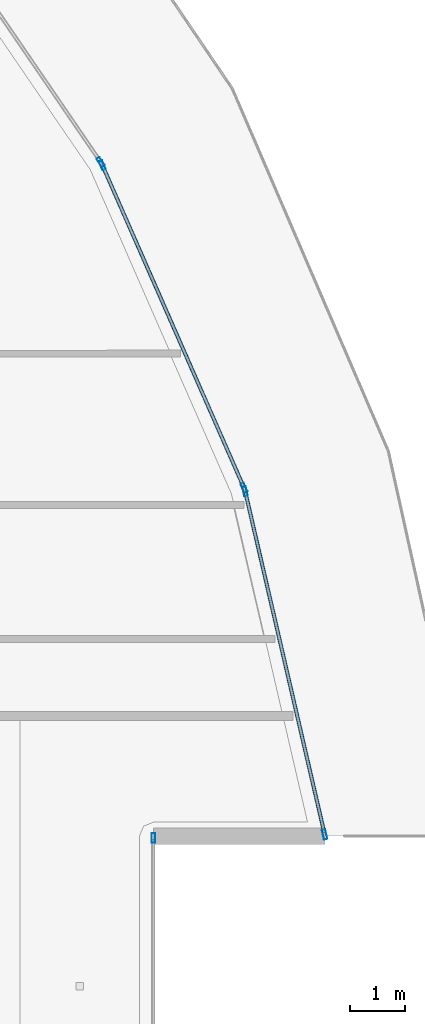
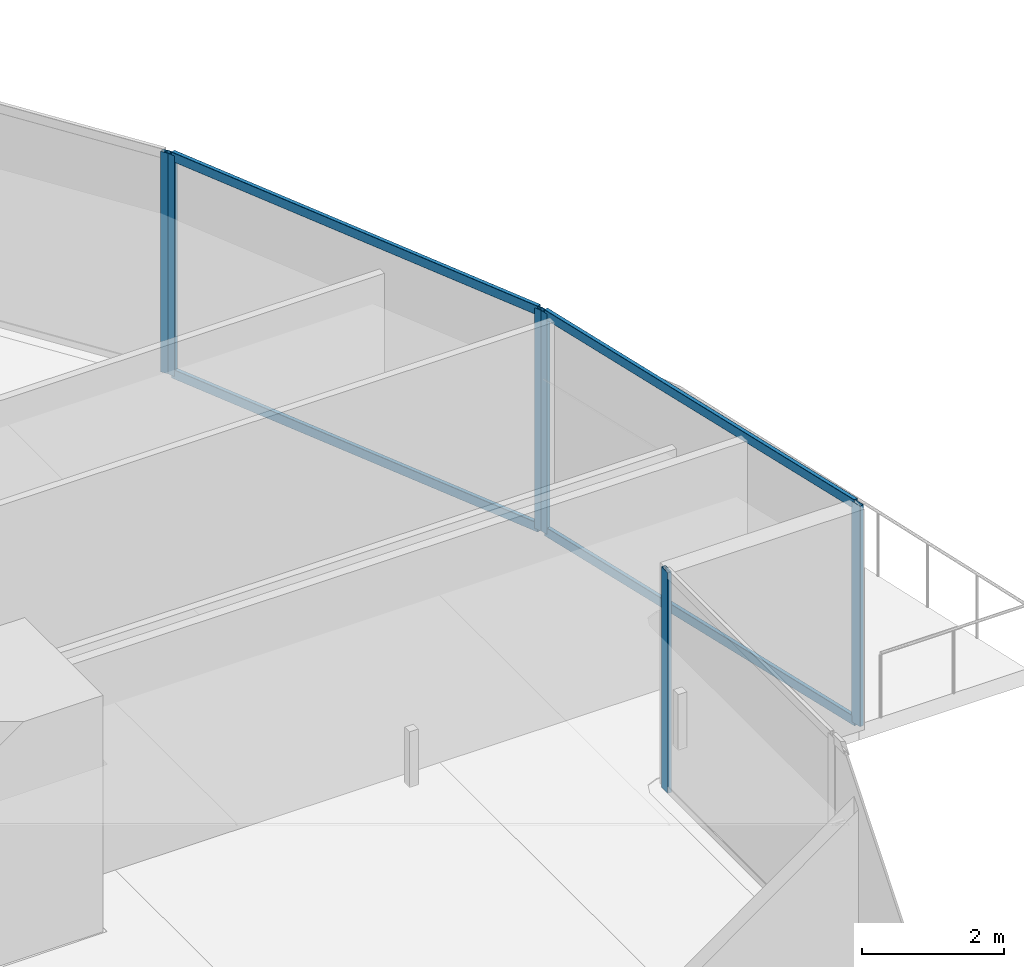
# One storey, part 19 of 35: 10 members, 4 elements without a shape of their own.
"""IFC4 building model written with IfcOpenShell, lengths in metres."""

from ifc_helpers import new_model, si_unit, direction, frame, origin, origin_2d, place, context, subcontext, project, spatial, hollow_rectangle, extrude, material, layer, layer_set, material_profile, profile_set, type_object, element, aggregate, save


model = new_model("IFC4")

# Units and contexts
model_context = context("Model", 3, precision=1e-05, world=origin(), true_north=direction((0.0, 1.0)))
body_context = subcontext(model_context, "Body", "Model", "MODEL_VIEW")
ifc_project = project(units=[si_unit("LENGTHUNIT", "METRE"), si_unit("AREAUNIT", "SQUARE_METRE"), si_unit("VOLUMEUNIT", "CUBIC_METRE"), si_unit("PLANEANGLEUNIT", "RADIAN"), si_unit("MASSUNIT", "GRAM", prefix="KILO")], contexts=[model_context])

# Site, building, storey
site_placement = place(None, origin())
site = spatial("IfcSite", under=ifc_project, at=site_placement, CompositionType="ELEMENT")
building_placement = place(site_placement, origin())
building = spatial("IfcBuilding", under=site, at=building_placement, Name="Qorvath Tower", CompositionType="ELEMENT")
storey_placement = place(building_placement, frame((0.0, 0.0, 166.5)))
storey = spatial("IfcBuildingStorey", under=building, at=storey_placement, Name="L38", CompositionType="ELEMENT", Elevation=166.5)

# Curtain wall, member
ifc_material_1 = material(Name="Anodised aluminium and triple low-E glass", Category="aluminium")
ifc_layer = layer(ifc_material_1, 0.179931640625)
ifc_layer_set = layer_set([ifc_layer], Name="CW-SYS-3")
curtain_wall_type = type_object("IfcCurtainWallType", Name="CW-SYS-3", PredefinedType="NOTDEFINED", material=ifc_layer_set)
curtain_wall_1_placement = place(storey_placement, origin())
curtain_wall_1 = element("IfcCurtainWall", 1, at=curtain_wall_1_placement, inside=storey, type_object=curtain_wall_type, Name="Curtain Wall CW-3 CW-T-L38-9.1", PredefinedType="NOTDEFINED")
ifc_material_2 = material(Name="Anodised aluminium 6063-T6", Category="aluminium")
ifc_material_profile_1 = material_profile(ifc_material_2, hollow_rectangle(XDim=0.06494140625, YDim=0.179931640625, WallThickness=0.00341796875, InnerFilletRadius=0.00341796875, OuterFilletRadius=0.007080078125, at=origin_2d()), Name="CWM 180x65")
ifc_profile_set_1 = profile_set([ifc_material_profile_1], Name="Anodised aluminium 6063-T6")
member_type_1 = type_object("IfcMemberType", Name="CWM-180", PredefinedType="MULLION", material=ifc_profile_set_1)
member_1_placement = place(storey_placement, frame((-0.183837890625, 4.67626953125, 0.0), z_axis=(0.0, 0.0, 1.0), x_axis=(-1.0, 0.0, 0.0)))
member_1 = element("IfcMember", 2, at=member_1_placement, type_object=member_type_1, Name="CW-3 mullion 3", PredefinedType="MULLION", context=body_context, shape_type="SweptSolid", body=[
    extrude(hollow_rectangle(XDim=0.06494140625, YDim=0.179931640625, WallThickness=0.00341796875, InnerFilletRadius=0.00341796875, OuterFilletRadius=0.007080078125, at=origin_2d()), origin(), (0.0, 0.0, 1.0), 3.780029296875),
])
aggregate(curtain_wall_1, [member_1])

# Curtain wall, members
curtain_wall_2_placement = place(storey_placement, origin())
curtain_wall_2 = element("IfcCurtainWall", 3, at=curtain_wall_2_placement, inside=storey, type_object=curtain_wall_type, Name="Curtain Wall CW-3 CW-T-L38-11.1", PredefinedType="NOTDEFINED")
member_2_placement = place(storey_placement, frame((2.947998046875, 4.740478515625, 0.0), z_axis=(0.0, 0.0, 1.0), x_axis=(-0.974175693099, -0.225791317315, 0.0)))
member_2 = element("IfcMember", 4, at=member_2_placement, type_object=member_type_1, Name="CW-3 mullion 1", PredefinedType="MULLION", context=body_context, shape_type="SweptSolid", body=[
    extrude(hollow_rectangle(XDim=0.06494140625, YDim=0.179931640625, WallThickness=0.00341796875, InnerFilletRadius=0.00341796875, OuterFilletRadius=0.007080078125, at=origin_2d()), origin(), (0.0, 0.0, 1.0), 3.780029296875),
])
member_3_placement = place(storey_placement, frame((1.493896484375, 11.013671875, 0.0), z_axis=(0.0, 0.0, 1.0), x_axis=(-0.974175693099, -0.225791317315, 0.0)))
member_3 = element("IfcMember", 5, at=member_3_placement, type_object=member_type_1, Name="CW-3 mullion 2", PredefinedType="MULLION", context=body_context, shape_type="SweptSolid", body=[
    extrude(hollow_rectangle(XDim=0.06494140625, YDim=0.179931640625, WallThickness=0.00341796875, InnerFilletRadius=0.00341796875, OuterFilletRadius=0.007080078125, at=origin_2d()), origin(), (0.0, 0.0, 1.0), 3.780029296875),
])

curtain_wall_3_placement = place(storey_placement, origin())
curtain_wall_3 = element("IfcCurtainWall", 6, at=curtain_wall_3_placement, inside=storey, type_object=curtain_wall_type, Name="Curtain Wall CW-3 CW-T-L38-12.1", PredefinedType="NOTDEFINED")
member_4_placement = place(storey_placement, frame((1.4736328125, 11.0751953125, 0.0), z_axis=(0.0, 0.0, 1.0), x_axis=(-0.915629399612, -0.402023385597, 0.0)))
member_4 = element("IfcMember", 7, at=member_4_placement, type_object=member_type_1, Name="CW-3 mullion 1", PredefinedType="MULLION", context=body_context, shape_type="SweptSolid", body=[
    extrude(hollow_rectangle(XDim=0.06494140625, YDim=0.179931640625, WallThickness=0.00341796875, InnerFilletRadius=0.00341796875, OuterFilletRadius=0.007080078125, at=origin_2d()), origin(), (0.0, 0.0, 1.0), 3.780029296875),
])
member_5_placement = place(storey_placement, frame((-1.115234375, 16.971435546875, 0.0), z_axis=(0.0, 0.0, 1.0), x_axis=(-0.915629399612, -0.402023385597, 0.0)))
member_5 = element("IfcMember", 8, at=member_5_placement, type_object=member_type_1, Name="CW-3 mullion 2", PredefinedType="MULLION", context=body_context, shape_type="SweptSolid", body=[
    extrude(hollow_rectangle(XDim=0.06494140625, YDim=0.179931640625, WallThickness=0.00341796875, InnerFilletRadius=0.00341796875, OuterFilletRadius=0.007080078125, at=origin_2d()), origin(), (0.0, 0.0, 1.0), 3.780029296875),
])

# Curtain wall, member
curtain_wall_4_placement = place(storey_placement, origin())
curtain_wall_4 = element("IfcCurtainWall", 9, at=curtain_wall_4_placement, inside=storey, type_object=curtain_wall_type, Name="Curtain Wall CW-3 CW-T-L38-13.1", PredefinedType="NOTDEFINED")
member_6_placement = place(storey_placement, frame((-1.146728515625, 17.028076171875, 0.0), z_axis=(0.0, 0.0, 1.0), x_axis=(-0.82552478625, -0.564365862971, 0.0)))
member_6 = element("IfcMember", 10, at=member_6_placement, type_object=member_type_1, Name="CW-3 mullion 1", PredefinedType="MULLION", context=body_context, shape_type="SweptSolid", body=[
    extrude(hollow_rectangle(XDim=0.06494140625, YDim=0.179931640625, WallThickness=0.00341796875, InnerFilletRadius=0.00341796875, OuterFilletRadius=0.007080078125, at=origin_2d()), origin(), (0.0, 0.0, 1.0), 3.780029296875),
])
aggregate(curtain_wall_4, [member_6])

# Member
ifc_material_3 = material(Name="Anodised aluminium 6063-T6", Category="aluminium")
ifc_material_profile_2 = material_profile(ifc_material_3, hollow_rectangle(XDim=0.06494140625, YDim=0.159912109375, WallThickness=0.00341796875, InnerFilletRadius=0.00341796875, OuterFilletRadius=0.007080078125, at=origin_2d()), Name="CWT 160x65")
ifc_profile_set_2 = profile_set([ifc_material_profile_2], Name="Anodised aluminium 6063-T6")
member_type_2 = type_object("IfcMemberType", Name="CWT-160", PredefinedType="USERDEFINED", material=ifc_profile_set_2)
member_7_placement = place(storey_placement, frame((2.940673828125, 4.77197265625, 0.032470703125), z_axis=(-0.225801993048, 0.97417321865, 0.0), x_axis=(-0.97417321865, -0.225801993048, 0.0)))
member_7 = element("IfcMember", 11, at=member_7_placement, type_object=member_type_2, Name="CW-3 transom 1.1", ObjectType="TRANSOM", PredefinedType="USERDEFINED", context=body_context, shape_type="SweptSolid", body=[
    extrude(hollow_rectangle(XDim=0.06494140625, YDim=0.159912109375, WallThickness=0.00341796875, InnerFilletRadius=0.00341796875, OuterFilletRadius=0.007080078125, at=origin_2d()), origin(), (0.0, 0.0, 1.0), 6.374755859375),
])

member_8_placement = place(storey_placement, frame((2.940673828125, 4.77197265625, 3.74755859375), z_axis=(-0.225801993048, 0.97417321865, 0.0), x_axis=(-0.97417321865, -0.225801993048, 0.0)))
member_8 = element("IfcMember", 12, at=member_8_placement, type_object=member_type_2, Name="CW-3 transom 1.2", ObjectType="TRANSOM", PredefinedType="USERDEFINED", context=body_context, shape_type="SweptSolid", body=[
    extrude(hollow_rectangle(XDim=0.06494140625, YDim=0.159912109375, WallThickness=0.00341796875, InnerFilletRadius=0.00341796875, OuterFilletRadius=0.007080078125, at=origin_2d()), origin(), (0.0, 0.0, 1.0), 6.374755859375),
])

aggregate(curtain_wall_2, [member_2, member_3, member_7, member_8])

member_9_placement = place(storey_placement, frame((1.46044921875, 11.10498046875, 0.032470703125), z_axis=(-0.402030003939, 0.915626493682, 0.0), x_axis=(-0.915626493682, -0.402030003939, 0.0)))
member_9 = element("IfcMember", 13, at=member_9_placement, type_object=member_type_2, Name="CW-3 transom 1.1", ObjectType="TRANSOM", PredefinedType="USERDEFINED", context=body_context, shape_type="SweptSolid", body=[
    extrude(hollow_rectangle(XDim=0.06494140625, YDim=0.159912109375, WallThickness=0.00341796875, InnerFilletRadius=0.00341796875, OuterFilletRadius=0.007080078125, at=origin_2d()), origin(), (0.0, 0.0, 1.0), 6.37451171875),
])

member_10_placement = place(storey_placement, frame((1.46044921875, 11.10498046875, 3.74755859375), z_axis=(-0.402030003939, 0.915626493682, 0.0), x_axis=(-0.915626493682, -0.402030003939, 0.0)))
member_10 = element("IfcMember", 14, at=member_10_placement, type_object=member_type_2, Name="CW-3 transom 1.2", ObjectType="TRANSOM", PredefinedType="USERDEFINED", context=body_context, shape_type="SweptSolid", body=[
    extrude(hollow_rectangle(XDim=0.06494140625, YDim=0.159912109375, WallThickness=0.00341796875, InnerFilletRadius=0.00341796875, OuterFilletRadius=0.007080078125, at=origin_2d()), origin(), (0.0, 0.0, 1.0), 6.37451171875),
])

aggregate(curtain_wall_3, [member_4, member_5, member_9, member_10])

save(model, "model.ifc")
